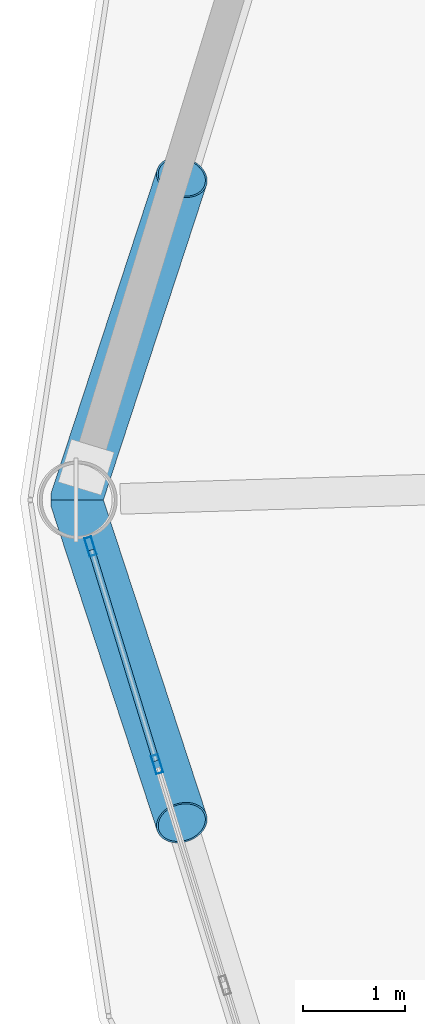
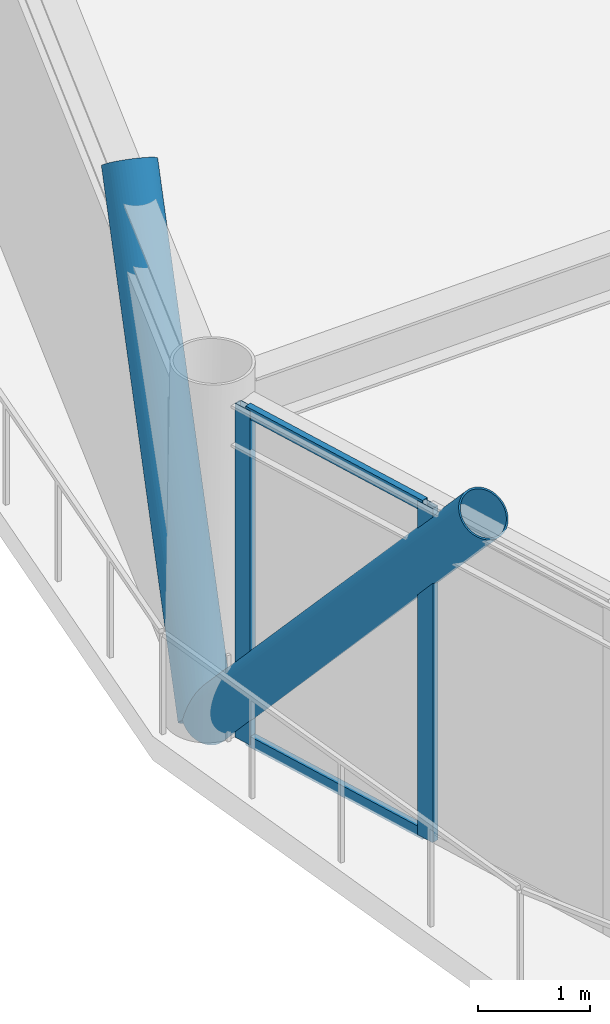
# One storey, part 9 of 25: 6 members, 1 element without a shape of its own.
"""IFC4 building model written with IfcOpenShell, lengths in metres."""

from ifc_helpers import new_model, si_unit, direction, frame, origin, origin_2d, place, context, subcontext, project, spatial, hollow_rectangle, hollow_circle, extrude, material, layer, layer_set, material_profile, profile_set, type_object, element, aggregate, save


model = new_model("IFC4")

# Units and contexts
model_context = context("Model", 3, precision=1e-05, world=origin(), true_north=direction((0.0, 1.0)))
body_context = subcontext(model_context, "Body", "Model", "MODEL_VIEW")
ifc_project = project(units=[si_unit("LENGTHUNIT", "METRE"), si_unit("AREAUNIT", "SQUARE_METRE"), si_unit("VOLUMEUNIT", "CUBIC_METRE"), si_unit("PLANEANGLEUNIT", "RADIAN"), si_unit("MASSUNIT", "GRAM", prefix="KILO")], contexts=[model_context])

# Site, building, storey
site_placement = place(None, origin())
site = spatial("IfcSite", under=ifc_project, at=site_placement, CompositionType="ELEMENT")
building_placement = place(site_placement, origin())
building = spatial("IfcBuilding", under=site, at=building_placement, Name="Varnakorn Sky Granary", CompositionType="ELEMENT")
storey_placement = place(building_placement, frame((0.0, 0.0, 146.10009765625)))
storey = spatial("IfcBuildingStorey", under=building, at=storey_placement, Name="L36", CompositionType="ELEMENT", Elevation=146.10009765625)

# Curtain wall, members
ifc_material_1 = material(Name="Anodised Bronze Aluminium Alloy 6063-T6", Category="aluminium")
ifc_layer = layer(ifc_material_1, 0.179931640625, Name="Anodised Bronze Aluminium Alloy 6063-T6")
ifc_layer_set = layer_set([ifc_layer], Name="Anodised Bronze Aluminium Alloy 6063-T6")
curtain_wall_type = type_object("IfcCurtainWallType", Name="CW-FRM-2", PredefinedType="USERDEFINED", material=ifc_layer_set)
curtain_wall_placement = place(storey_placement, origin())
curtain_wall = element("IfcCurtainWall", 1, at=curtain_wall_placement, inside=storey, type_object=curtain_wall_type, Name="Unitised Curtain Wall CW4 CW-L36-B07", ObjectType="CURTAIN WALL", PredefinedType="USERDEFINED")
ifc_material_profile_1 = material_profile(ifc_material_1, hollow_rectangle(XDim=0.070068359375, YDim=0.18505859375, WallThickness=0.00390625, at=origin_2d()), Name="ALU MULL 70x185")
ifc_profile_set_1 = profile_set([ifc_material_profile_1], Name="Anodised Bronze Aluminium Alloy 6063-T6")
member_type_1 = type_object("IfcMemberType", Name="CW-FRM-2-MULL", PredefinedType="MULLION", material=ifc_profile_set_1)
member_1_placement = place(storey_placement, frame((-21.557861328125, -2.5859375, 0.0), z_axis=(0.0, 0.0, 1.0), x_axis=(-0.956145304488, -0.29289273925, 0.0)))
member_1 = element("IfcMember", 2, at=member_1_placement, type_object=member_type_1, Name="CW4 mullion 4", PredefinedType="MULLION", context=body_context, shape_type="SweptSolid", body=[
    extrude(hollow_rectangle(XDim=0.070068359375, YDim=0.18505859375, WallThickness=0.00390625, at=origin_2d()), origin(), (0.0, 0.0, 1.0), 3.639892578125),
])
member_2_placement = place(storey_placement, frame((-22.21044921875, -0.455078125, 0.0), z_axis=(0.0, 0.0, 1.0), x_axis=(-0.956145304488, -0.29289273925, 0.0)))
member_2 = element("IfcMember", 3, at=member_2_placement, type_object=member_type_1, Name="CW4 mullion 5", PredefinedType="MULLION", context=body_context, shape_type="SweptSolid", body=[
    extrude(hollow_rectangle(XDim=0.070068359375, YDim=0.18505859375, WallThickness=0.00390625, at=origin_2d()), origin(), (0.0, 0.0, 1.0), 3.639892578125),
])
ifc_material_profile_2 = material_profile(ifc_material_1, hollow_rectangle(XDim=0.06494140625, YDim=0.1201171875, WallThickness=0.00341796875, at=origin_2d()), Name="ALU TRAN 65x120")
ifc_profile_set_2 = profile_set([ifc_material_profile_2], Name="Anodised Bronze Aluminium Alloy 6063-T6")
member_type_2 = type_object("IfcMemberType", Name="CW-FRM-2-TRAN", PredefinedType="USERDEFINED", material=ifc_profile_set_2)
member_3_placement = place(storey_placement, frame((-21.568115234375, -2.552490234375, 0.032470703125), z_axis=(-0.292821902644, 0.956167000755, 0.0), x_axis=(-0.956167000755, -0.292821902644, 0.0)))
member_3 = element("IfcMember", 4, at=member_3_placement, type_object=member_type_2, Name="CW4 transom 4.1", ObjectType="TRANSOM", PredefinedType="USERDEFINED", context=body_context, shape_type="SweptSolid", body=[
    extrude(hollow_rectangle(XDim=0.06494140625, YDim=0.1201171875, WallThickness=0.00341796875, at=origin_2d()), origin(), (0.0, 0.0, 1.0), 2.15869140625),
])
member_4_placement = place(storey_placement, frame((-21.568115234375, -2.552490234375, 3.607421875), z_axis=(-0.292821902644, 0.956167000755, 0.0), x_axis=(-0.956167000755, -0.292821902644, 0.0)))
member_4 = element("IfcMember", 5, at=member_4_placement, type_object=member_type_2, Name="CW4 transom 4.2", ObjectType="TRANSOM", PredefinedType="USERDEFINED", context=body_context, shape_type="SweptSolid", body=[
    extrude(hollow_rectangle(XDim=0.06494140625, YDim=0.1201171875, WallThickness=0.00341796875, at=origin_2d()), origin(), (0.0, 0.0, 1.0), 2.15869140625),
])
aggregate(curtain_wall, [member_1, member_2, member_3, member_4])

# Members
ifc_material_2 = material(Name="Steel S460M", Category="steel")
ifc_material_profile_3 = material_profile(ifc_material_2, hollow_circle(Radius=0.25390625, WallThickness=0.01806640625, at=origin_2d()), Name="CHS 508x18")
ifc_profile_set_3 = profile_set([ifc_material_profile_3], Name="Steel S460M")
member_type_3 = type_object("IfcMemberType", Name="MB-DIAG-T2", PredefinedType="BRACE", material=ifc_profile_set_3)
for number, where, z_axis, x_axis, name in (
    (6, (-22.35009765625, 0.0, 0.0), (0.205162866981, 0.62662822781, 0.751827947155), (-0.950359221114, 0.311154866335, 0.0), "Perimeter CHS Diagrid Brace DG06 L36"),
    (7, (-22.35009765625, 0.0, 0.0), (0.205162866981, -0.62662822781, 0.751827947155), (0.950359221114, 0.311154866335, 0.0), "Perimeter CHS Diagrid Brace DG07 L36"),
):
    element("IfcMember", number, at=place(storey_placement, frame(where, z_axis=z_axis, x_axis=x_axis)), inside=storey, type_object=member_type_3, Name=name, PredefinedType="BRACE", context=body_context, shape_type="SweptSolid", body=[
        extrude(hollow_circle(Radius=0.25390625, WallThickness=0.01806640625, at=origin_2d()), origin(), (0.0, 0.0, 1.0), 5.040771484375),
    ])

save(model, "model.ifc")
